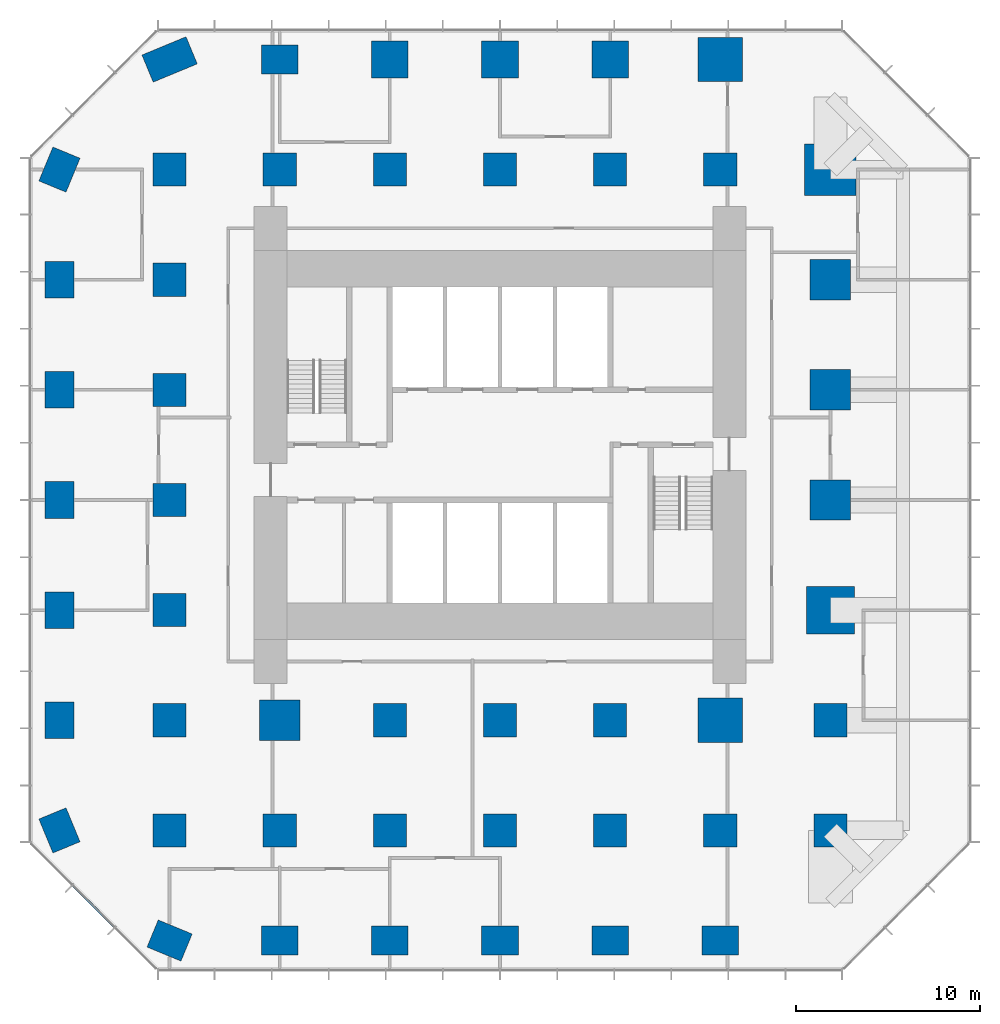
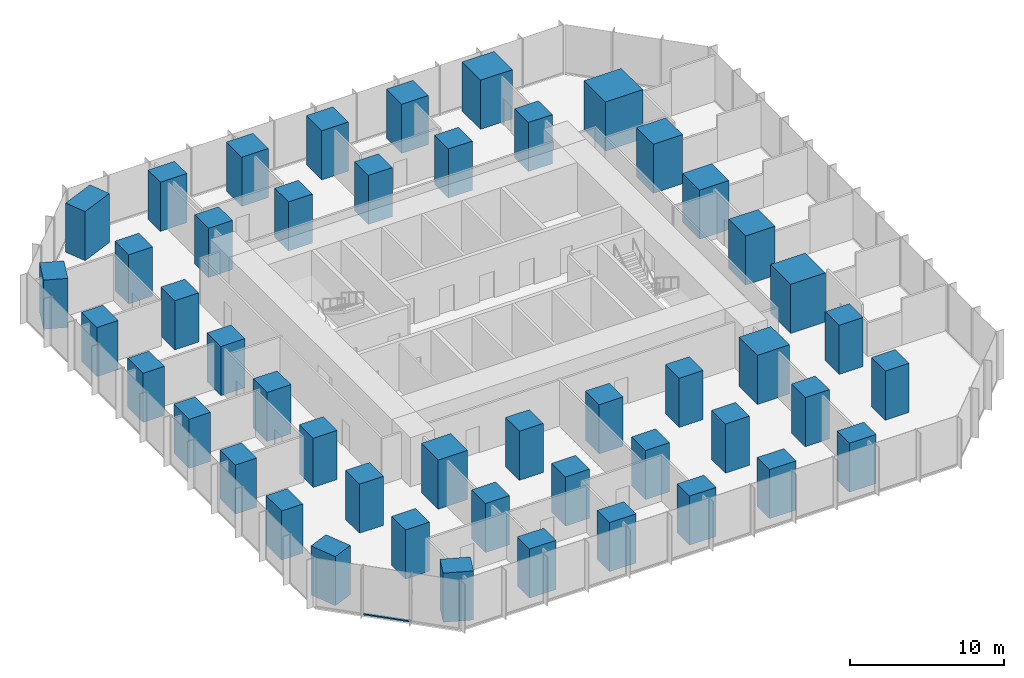
# One storey, part 1 of 12: 48 columns, 1 member, 1 element without a shape of its own.
"""IFC4 building model written with IfcOpenShell, lengths in metres."""

from ifc_helpers import new_model, si_unit, direction, frame, origin, origin_2d, place, context, subcontext, project, spatial, rectangle, extrude, material, layer, layer_set, material_profile, profile_set, type_object, element, aggregate, save


model = new_model("IFC4")

# Units and contexts
model_context = context("Model", 3, precision=1e-05, world=origin(), true_north=direction((0.0, 1.0)))
body_context = subcontext(model_context, "Body", "Model", "MODEL_VIEW")
ifc_project = project(units=[si_unit("LENGTHUNIT", "METRE"), si_unit("AREAUNIT", "SQUARE_METRE"), si_unit("VOLUMEUNIT", "CUBIC_METRE"), si_unit("PLANEANGLEUNIT", "RADIAN"), si_unit("MASSUNIT", "GRAM", prefix="KILO")], contexts=[model_context])

# Site, building, storey
site_placement = place(None, origin())
site = spatial("IfcSite", under=ifc_project, at=site_placement, CompositionType="ELEMENT")
building_placement = place(site_placement, origin())
building = spatial("IfcBuilding", under=site, at=building_placement, Name="Highveld Stack Headquarters", CompositionType="ELEMENT")
storey_placement = place(building_placement, frame((0.0, 0.0, 45.5)))
storey = spatial("IfcBuildingStorey", under=building, at=storey_placement, Name="L10", CompositionType="ELEMENT", Elevation=45.5)

# Columns
ifc_material_1 = material(Name="Concrete C60/75", Category="concrete")
ifc_material_profile_1 = material_profile(ifc_material_1, rectangle(XDim=1.800048828125, YDim=1.800048828125, at=origin_2d()), Name="RC 1800x1800")
ifc_profile_set_1 = profile_set([ifc_material_profile_1], Name="Concrete C60/75")
column_type_1 = type_object("IfcColumnType", Name="COLUMN RC 1800x1800 C60/75", PredefinedType="COLUMN", material=ifc_profile_set_1)
for number, where, z_axis, x_axis, name in (
    (1, (-12.0, -18.0, 0.0), (0.0, 0.0, 1.0), (1.0, 0.0, 0.0), "Column 4/B L10"),
    (2, (-12.0, -12.0, 0.0), (0.0, 0.0, 1.0), (1.0, 0.0, 0.0), "Column 4/C L10"),
    (3, (-12.0, -6.0, 0.0), (0.0, 0.0, 1.0), (1.0, 0.0, 0.0), "Column 4/D L10"),
    (4, (-12.0, 0.0, 0.0), (0.0, 0.0, 1.0), (1.0, 0.0, 0.0), "Column 4/E L10"),
    (5, (-12.0, 6.0, 0.0), (0.0, 0.0, 1.0), (1.0, 0.0, 0.0), "Column 4/F L10"),
    (6, (-12.0, 12.0, 0.0), (0.0, 0.0, 1.0), (1.0, 0.0, 0.0), "Column 4/G L10"),
    (7, (-12.0, 18.0, 0.0), (0.0, 0.0, 1.0), (1.0, 0.0, 0.0), "Column 4/H L10"),
    (8, (-6.0, -18.0, 0.0), (0.0, 0.0, 1.0), (1.0, 0.0, 0.0), "Column 5/B L10"),
    (9, (-6.0, 18.0, 0.0), (0.0, 0.0, 1.0), (1.0, 0.0, 0.0), "Column 5/H L10"),
    (10, (0.0, -18.0, 0.0), (0.0, 0.0, 1.0), (1.0, 0.0, 0.0), "Column 6/B L10"),
    (11, (0.0, -12.0, 0.0), (0.0, 0.0, 1.0), (1.0, 0.0, 0.0), "Column 6/C L10"),
    (12, (0.0, 18.0, 0.0), (0.0, 0.0, 1.0), (1.0, 0.0, 0.0), "Column 6/H L10"),
    (13, (6.0, -18.0, 0.0), (0.0, 0.0, 1.0), (1.0, 0.0, 0.0), "Column 7/B L10"),
    (14, (6.0, -12.0, 0.0), (0.0, 0.0, 1.0), (1.0, 0.0, 0.0), "Column 7/C L10"),
    (15, (6.0, 18.0, 0.0), (0.0, 0.0, 1.0), (1.0, 0.0, 0.0), "Column 7/H L10"),
    (16, (12.0, -18.0, 0.0), (0.0, 0.0, 1.0), (1.0, 0.0, 0.0), "Column 8/B L10"),
    (17, (12.0, -12.0, 0.0), (0.0, 0.0, 1.0), (1.0, 0.0, 0.0), "Column 8/C L10"),
    (18, (12.0, 18.0, 0.0), (0.0, 0.0, 1.0), (1.0, 0.0, 0.0), "Column 8/H L10"),
    (19, (18.0, -18.0, 0.0), (0.0, 0.0, 1.0), (1.0, 0.0, 0.0), "Column 9/B L10"),
    (20, (18.0, 18.0, 0.0), (0.0, 0.0, 1.0), (1.0, 0.0, 0.0), "Column 9/H L10"),
    (21, (24.0, -18.0, 0.0), (0.0, 0.0, 1.0), (1.0, 0.0, 0.0), "Column 10/B L10"),
    (22, (24.0, -12.0, 0.0), (0.0, 0.0, 1.0), (1.0, 0.0, 0.0), "Column 10/C L10"),
):
    element("IfcColumn", number, at=place(storey_placement, frame(where, z_axis=z_axis, x_axis=x_axis)), inside=storey, type_object=column_type_1, Name=name, PredefinedType="COLUMN", context=body_context, shape_type="SweptSolid", body=[
        extrude(rectangle(XDim=1.800048828125, YDim=1.800048828125, at=origin_2d()), origin(), (0.0, 0.0, 1.0), 3.89990234375),
    ])
ifc_material_2 = material(Name="Concrete C60/75", Category="concrete")
ifc_material_profile_2 = material_profile(ifc_material_2, rectangle(XDim=2.0, YDim=1.60009765625, at=origin_2d()), Name="RC 2000x1600")
ifc_profile_set_2 = profile_set([ifc_material_profile_2], Name="Concrete C60/75")
column_type_2 = type_object("IfcColumnType", Name="COLUMN RC 2000x1600 C60/75", PredefinedType="COLUMN", material=ifc_profile_set_2)
for number, where, z_axis, x_axis, name in (
    (23, (-18.0, -18.0, 0.0), (0.0, 0.0, 1.0), (-0.382683432365, 0.923879532511, 0.0), "Column 3/B L10"),
    (24, (-18.0, -12.0, 0.0), (0.0, 0.0, 1.0), (0.0, 1.0, 0.0), "Column 3/C L10"),
    (25, (-18.0, -6.0, 0.0), (0.0, 0.0, 1.0), (0.0, 1.0, 0.0), "Column 3/D L10"),
    (26, (-18.0, 0.0, 0.0), (0.0, 0.0, 1.0), (0.0, 1.0, 0.0), "Column 3/E L10"),
    (27, (-18.0, 6.0, 0.0), (0.0, 0.0, 1.0), (0.0, 1.0, 0.0), "Column 3/F L10"),
    (28, (-18.0, 12.0, 0.0), (0.0, 0.0, 1.0), (0.0, 1.0, 0.0), "Column 3/G L10"),
    (29, (-18.0, 18.0, 0.0), (0.0, 0.0, 1.0), (0.382683432365, 0.923879532511, 0.0), "Column 3/H L10"),
    (30, (-12.0, -24.0, 0.0), (0.0, 0.0, 1.0), (-0.923879532511, 0.382683432365, 0.0), "Column 4/A L10"),
    (31, (-6.0, -24.0, 0.0), (0.0, 0.0, 1.0), (1.0, 0.0, 0.0), "Column 5/A L10"),
    (32, (-6.0, 24.0, 0.0), (0.0, 0.0, 1.0), (1.0, 0.0, 0.0), "Column 5/J L10"),
    (33, (0.0, -24.0, 0.0), (0.0, 0.0, 1.0), (1.0, 0.0, 0.0), "Column 6/A L10"),
    (34, (6.0, -24.0, 0.0), (0.0, 0.0, 1.0), (1.0, 0.0, 0.0), "Column 7/A L10"),
    (35, (12.0, -24.0, 0.0), (0.0, 0.0, 1.0), (1.0, 0.0, 0.0), "Column 8/A L10"),
    (36, (18.0, -24.0, 0.0), (0.0, 0.0, 1.0), (1.0, 0.0, 0.0), "Column 9/A L10"),
):
    element("IfcColumn", number, at=place(storey_placement, frame(where, z_axis=z_axis, x_axis=x_axis)), inside=storey, type_object=column_type_2, Name=name, PredefinedType="COLUMN", context=body_context, shape_type="SweptSolid", body=[
        extrude(rectangle(XDim=2.0, YDim=1.60009765625, at=origin_2d()), origin(), (0.0, 0.0, 1.0), 3.89990234375),
    ])
ifc_material_3 = material(Name="Concrete C60/75", Category="concrete")
ifc_material_profile_3 = material_profile(ifc_material_3, rectangle(XDim=2.0, YDim=2.0, at=origin_2d()), Name="RC 2000x2000")
ifc_profile_set_3 = profile_set([ifc_material_profile_3], Name="Concrete C60/75")
column_type_3 = type_object("IfcColumnType", Name="COLUMN RC 2000x2000 C60/75", PredefinedType="COLUMN", material=ifc_profile_set_3)
for number, where, z_axis, x_axis, name in (
    (37, (0.0, 24.0, 0.0), (0.0, 0.0, 1.0), (1.0, 0.0, 0.0), "Column 6/J L10"),
    (38, (6.0, 24.0, 0.0), (0.0, 0.0, 1.0), (1.0, 0.0, 0.0), "Column 7/J L10"),
    (39, (12.0, 24.0, 0.0), (0.0, 0.0, 1.0), (1.0, 0.0, 0.0), "Column 8/J L10"),
):
    element("IfcColumn", number, at=place(storey_placement, frame(where, z_axis=z_axis, x_axis=x_axis)), inside=storey, type_object=column_type_3, Name=name, PredefinedType="COLUMN", context=body_context, shape_type="SweptSolid", body=[
        extrude(rectangle(XDim=2.0, YDim=2.0, at=origin_2d()), origin(), (0.0, 0.0, 1.0), 3.89990234375),
    ])
ifc_material_4 = material(Name="Concrete C60/75", Category="concrete")
ifc_material_profile_4 = material_profile(ifc_material_4, rectangle(XDim=2.199951171875, YDim=2.199951171875, at=origin_2d()), Name="RC 2200x2200")
ifc_profile_set_4 = profile_set([ifc_material_profile_4], Name="Concrete C60/75")
column_type_4 = type_object("IfcColumnType", Name="COLUMN RC 2200x2200 C60/75", PredefinedType="COLUMN", material=ifc_profile_set_4)
for number, where, z_axis, x_axis, name in (
    (40, (-6.0, -12.0, 0.0), (0.0, 0.0, 1.0), (1.0, 0.0, 0.0), "Column 5/C L10"),
    (41, (24.0, 0.0, 0.0), (0.0, 0.0, 1.0), (1.0, 0.0, 0.0), "Column 10/E L10"),
    (42, (24.0, 6.0, 0.0), (0.0, 0.0, 1.0), (1.0, 0.0, 0.0), "Column 10/F L10"),
    (43, (24.0, 12.0, 0.0), (0.0, 0.0, 1.0), (1.0, 0.0, 0.0), "Column 10/G L10"),
):
    element("IfcColumn", number, at=place(storey_placement, frame(where, z_axis=z_axis, x_axis=x_axis)), inside=storey, type_object=column_type_4, Name=name, PredefinedType="COLUMN", context=body_context, shape_type="SweptSolid", body=[
        extrude(rectangle(XDim=2.199951171875, YDim=2.199951171875, at=origin_2d()), origin(), (0.0, 0.0, 1.0), 3.89990234375),
    ])
ifc_material_5 = material(Name="Concrete C60/75", Category="concrete")
ifc_material_profile_5 = material_profile(ifc_material_5, rectangle(XDim=2.39990234375, YDim=2.39990234375, at=origin_2d()), Name="RC 2400x2400")
ifc_profile_set_5 = profile_set([ifc_material_profile_5], Name="Concrete C60/75")
column_type_5 = type_object("IfcColumnType", Name="COLUMN RC 2400x2400 C60/75", PredefinedType="COLUMN", material=ifc_profile_set_5)
for number, where, z_axis, x_axis, name in (
    (44, (18.0, -12.0, 0.0), (0.0, 0.0, 1.0), (1.0, 0.0, 0.0), "Column 9/C L10"),
    (45, (18.0, 24.0, 0.0), (0.0, 0.0, 1.0), (1.0, 0.0, 0.0), "Column 9/J L10"),
):
    element("IfcColumn", number, at=place(storey_placement, frame(where, z_axis=z_axis, x_axis=x_axis)), inside=storey, type_object=column_type_5, Name=name, PredefinedType="COLUMN", context=body_context, shape_type="SweptSolid", body=[
        extrude(rectangle(XDim=2.39990234375, YDim=2.39990234375, at=origin_2d()), origin(), (0.0, 0.0, 1.0), 3.89990234375),
    ])
ifc_material_6 = material(Name="Concrete C60/75", Category="concrete")
ifc_material_profile_6 = material_profile(ifc_material_6, rectangle(XDim=2.60009765625, YDim=1.60009765625, at=origin_2d()), Name="RC 2600x1600")
ifc_profile_set_6 = profile_set([ifc_material_profile_6], Name="Concrete C60/75")
column_type_6 = type_object("IfcColumnType", Name="COLUMN RC 2600x1600 C60/75", PredefinedType="COLUMN", material=ifc_profile_set_6)
column_1_placement = place(storey_placement, frame((-12.0, 24.0, 0.0), z_axis=(0.0, 0.0, 1.0), x_axis=(0.923879532511, 0.382683432365, 0.0)))
element("IfcColumn", 46, at=column_1_placement, inside=storey, type_object=column_type_6, Name="Column 4/J L10", PredefinedType="COLUMN", context=body_context, shape_type="SweptSolid", body=[
    extrude(rectangle(XDim=2.60009765625, YDim=1.60009765625, at=origin_2d()), origin(), (0.0, 0.0, 1.0), 3.89990234375),
])
ifc_material_7 = material(Name="Concrete C60/75", Category="concrete")
ifc_material_profile_7 = material_profile(ifc_material_7, rectangle(XDim=2.60009765625, YDim=2.60009765625, at=origin_2d()), Name="RC 2600x2600")
ifc_profile_set_7 = profile_set([ifc_material_profile_7], Name="Concrete C60/75")
column_type_7 = type_object("IfcColumnType", Name="COLUMN RC 2600x2600 C60/75", PredefinedType="COLUMN", material=ifc_profile_set_7)
column_2_placement = place(storey_placement, frame((24.0, -6.0, 0.0), z_axis=(0.0, 0.0, 1.0), x_axis=(1.0, 0.0, 0.0)))
element("IfcColumn", 47, at=column_2_placement, inside=storey, type_object=column_type_7, Name="Column 10/D L10", PredefinedType="COLUMN", context=body_context, shape_type="SweptSolid", body=[
    extrude(rectangle(XDim=2.60009765625, YDim=2.60009765625, at=origin_2d()), origin(), (0.0, 0.0, 1.0), 3.89990234375),
])
ifc_material_8 = material(Name="Concrete C60/75", Category="concrete")
ifc_material_profile_8 = material_profile(ifc_material_8, rectangle(XDim=2.800048828125, YDim=2.800048828125, at=origin_2d()), Name="RC 2800x2800")
ifc_profile_set_8 = profile_set([ifc_material_profile_8], Name="Concrete C60/75")
column_type_8 = type_object("IfcColumnType", Name="COLUMN RC 2800x2800 C60/75", PredefinedType="COLUMN", material=ifc_profile_set_8)
column_3_placement = place(storey_placement, frame((24.0, 18.0, 0.0), z_axis=(0.0, 0.0, 1.0), x_axis=(1.0, 0.0, 0.0)))
element("IfcColumn", 48, at=column_3_placement, inside=storey, type_object=column_type_8, Name="Column 10/H L10", PredefinedType="COLUMN", context=body_context, shape_type="SweptSolid", body=[
    extrude(rectangle(XDim=2.800048828125, YDim=2.800048828125, at=origin_2d()), origin(), (0.0, 0.0, 1.0), 3.89990234375),
])

# Curtain wall, member
ifc_material_9 = material(Name="Aluminium bronze anodised", Category="aluminium")
ifc_layer = layer(ifc_material_9, 0.199951171875)
ifc_layer_set = layer_set([ifc_layer], Name="Aluminium bronze anodised")
curtain_wall_type = type_object("IfcCurtainWallType", Name="CW2 TOWER CHAMFER UNITISED CURTAIN WALL", PredefinedType="NOTDEFINED", material=ifc_layer_set)
curtain_wall_placement = place(storey_placement, origin())
curtain_wall = element("IfcCurtainWall", 49, at=curtain_wall_placement, inside=storey, type_object=curtain_wall_type, Name="Curtain wall CW2 L10 SW", PredefinedType="NOTDEFINED")
ifc_material_10 = material(Name="Aluminium bronze anodised", Category="aluminium")
ifc_material_profile_9 = material_profile(ifc_material_10, rectangle(XDim=0.14990234375, YDim=0.10009765625, at=origin_2d()), Name="CW2 TRANSOM 150x100")
ifc_profile_set_9 = profile_set([ifc_material_profile_9], Name="Aluminium bronze anodised")
member_type = type_object("IfcMemberType", Name="CW2 STACK TRANSOM 150x100", PredefinedType="USERDEFINED", material=ifc_profile_set_9)
member_placement = place(storey_placement, frame((-17.2646484375, -20.998046875, 0.050048828125), z_axis=(0.707106781187, -0.707106781187, 0.0), x_axis=(0.707106781187, 0.707106781187, 0.0)))
member = element("IfcMember", 50, at=member_placement, type_object=member_type, Name="CW2 transom L10 2.1", ObjectType="TRANSOM", PredefinedType="USERDEFINED", context=body_context, shape_type="SweptSolid", body=[
    extrude(rectangle(XDim=0.14990234375, YDim=0.10009765625, at=origin_2d()), origin(), (0.0, 0.0, 1.0), 3.20556640625),
])
aggregate(curtain_wall, [member])

save(model, "model.ifc")
